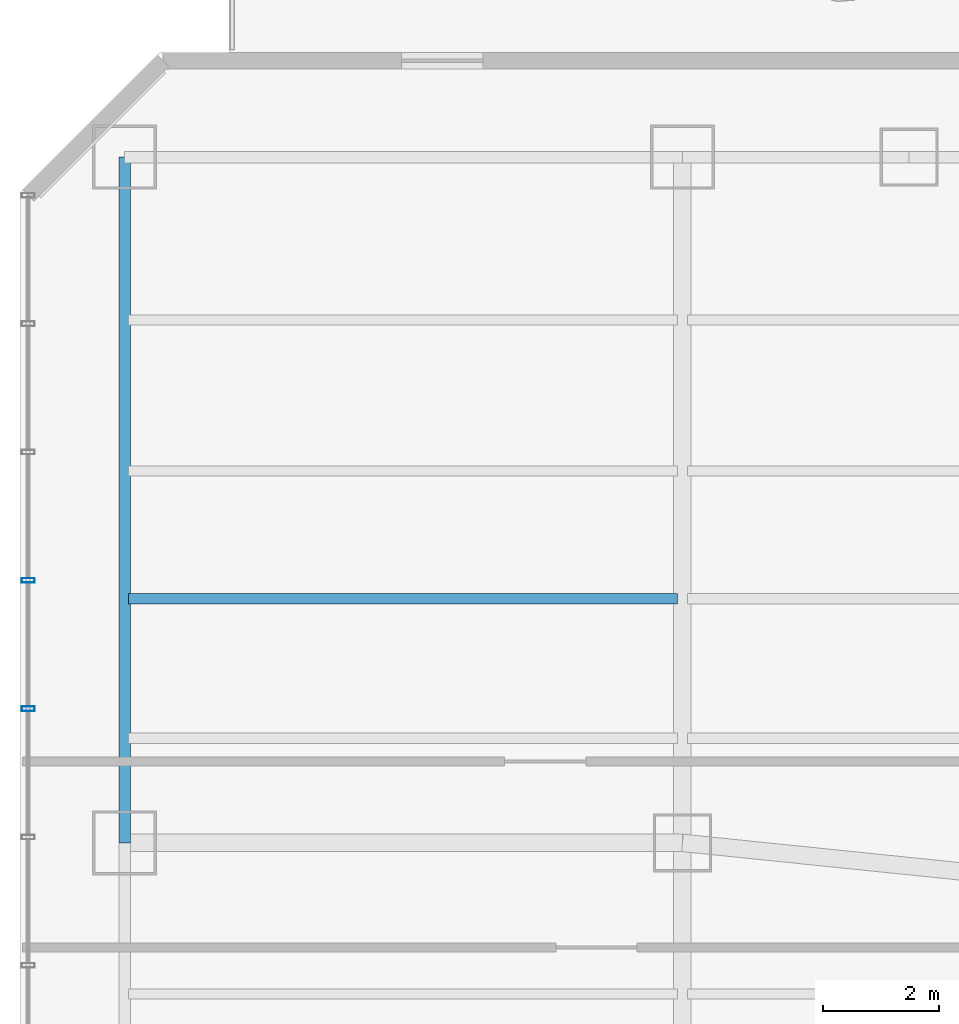
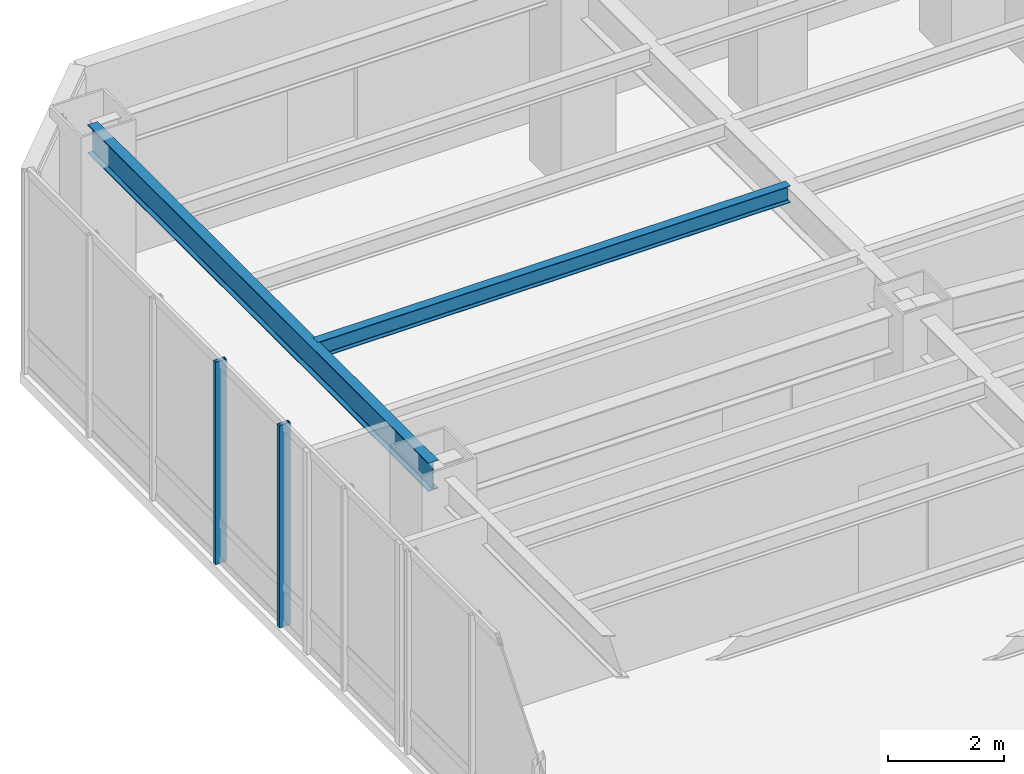
# One storey, part 12 of 29: 2 beams, 2 members, 1 element without a shape of its own.
"""IFC4 building model written with IfcOpenShell, lengths in metres."""

from ifc_helpers import new_model, si_unit, direction, frame, origin, origin_2d, place, context, subcontext, project, spatial, hollow_rectangle, i_section, extrude, material, layer, layer_set, material_profile, profile_set, type_object, element, aggregate, save


model = new_model("IFC4")

# Units and contexts
model_context = context("Model", 3, precision=1e-05, world=origin(), true_north=direction((0.0, 1.0)))
body_context = subcontext(model_context, "Body", "Model", "MODEL_VIEW")
ifc_project = project(units=[si_unit("LENGTHUNIT", "METRE"), si_unit("AREAUNIT", "SQUARE_METRE"), si_unit("VOLUMEUNIT", "CUBIC_METRE"), si_unit("PLANEANGLEUNIT", "RADIAN"), si_unit("MASSUNIT", "GRAM", prefix="KILO")], contexts=[model_context])

# Site, building, storey
site_placement = place(None, origin())
site = spatial("IfcSite", under=ifc_project, at=site_placement, CompositionType="ELEMENT")
building_placement = place(site_placement, origin())
building = spatial("IfcBuilding", under=site, at=building_placement, Name="Hatsunagi Terrace Concourse", CompositionType="ELEMENT")
storey_placement = place(building_placement, frame((0.0, 0.0, 32.10009765625)))
storey = spatial("IfcBuildingStorey", under=building, at=storey_placement, Name="L07", CompositionType="ELEMENT", Elevation=32.10009765625)

# Curtain wall, members
ifc_material_1 = material(Name="Anodised Aluminium Alloy 6063-T5", Category="aluminium")
ifc_layer = layer(ifc_material_1, 0.199951171875)
ifc_layer_set = layer_set([ifc_layer], Name="SkyLobbyAtrium_CW05")
curtain_wall_type = type_object("IfcCurtainWallType", Name="SkyLobbyAtrium_CW05", PredefinedType="NOTDEFINED", material=ifc_layer_set)
curtain_wall_placement = place(storey_placement, origin())
curtain_wall = element("IfcCurtainWall", 1, at=curtain_wall_placement, inside=storey, type_object=curtain_wall_type, Name="Unitised Curtain Wall CW-05 CW-L07-09", PredefinedType="NOTDEFINED")
ifc_material_2 = material(Name="Anodised Aluminium Alloy 6063-T5", Category="aluminium")
ifc_material_profile_1 = material_profile(ifc_material_2, hollow_rectangle(XDim=0.080078125, YDim=0.219970703125, WallThickness=0.0048828125, at=origin_2d()), Name="ALU-MUL-220x80x5")
ifc_profile_set_1 = profile_set([ifc_material_profile_1], Name="Anodised Aluminium Alloy 6063-T5")
member_type = type_object("IfcMemberType", Name="CurtainWallMullion_Heavy_220x80", PredefinedType="MULLION", material=ifc_profile_set_1)
member_1_placement = place(storey_placement, frame((0.139892578125, 39.10791015625, 0.0), z_axis=(0.0, 0.0, 1.0), x_axis=(0.0, 1.0, 0.0)))
member_1 = element("IfcMember", 2, at=member_1_placement, type_object=member_type, Name="Curtain Wall Mullion MUL-01", PredefinedType="MULLION", context=body_context, shape_type="SweptSolid", body=[
    extrude(hollow_rectangle(XDim=0.080078125, YDim=0.219970703125, WallThickness=0.0048828125, at=origin_2d()), origin(), (0.0, 0.0, 1.0), 4.27978515625),
])
member_2_placement = place(storey_placement, frame((0.139892578125, 41.31689453125, 0.0), z_axis=(0.0, 0.0, 1.0), x_axis=(0.0, 1.0, 0.0)))
member_2 = element("IfcMember", 3, at=member_2_placement, type_object=member_type, Name="Curtain Wall Mullion MUL-01", PredefinedType="MULLION", context=body_context, shape_type="SweptSolid", body=[
    extrude(hollow_rectangle(XDim=0.080078125, YDim=0.219970703125, WallThickness=0.0048828125, at=origin_2d()), origin(), (0.0, 0.0, 1.0), 4.27978515625),
])
aggregate(curtain_wall, [member_1, member_2])

# Beams
ifc_material_3 = material(Name="Steel SN490B", Category="steel")
ifc_material_profile_2 = material_profile(ifc_material_3, i_section(OverallWidth=0.175048828125, OverallDepth=0.35009765625, WebThickness=0.007080078125, FlangeThickness=0.010986328125, FilletRadius=0.012939453125, at=origin_2d()), Name="H-350x175x7x11")
ifc_profile_set_2 = profile_set([ifc_material_profile_2], Name="Steel SN490B")
beam_type_1 = type_object("IfcBeamType", Name="HotelJoist_H_350x175", PredefinedType="JOIST", material=ifc_profile_set_2)
beam_1_placement = place(storey_placement, frame((1.864990234375, 41.0, 4.10498046875), z_axis=(1.0, 0.0, 0.0), x_axis=(0.0, 1.0, 0.0)))
element("IfcBeam", 4, at=beam_1_placement, inside=storey, type_object=beam_type_1, Name="Beam J-02 J-L07-W-1-410", PredefinedType="JOIST", context=body_context, shape_type="SweptSolid", body=[
    extrude(i_section(OverallWidth=0.175048828125, OverallDepth=0.35009765625, WebThickness=0.007080078125, FlangeThickness=0.010986328125, FilletRadius=0.012939453125, at=origin_2d()), origin(), (0.0, 0.0, 1.0), 9.449951171875),
])
ifc_material_4 = material(Name="Steel SN490B", Category="steel")
ifc_material_profile_3 = material_profile(ifc_material_4, i_section(OverallWidth=0.199951171875, OverallDepth=0.60009765625, WebThickness=0.010986328125, FlangeThickness=0.01708984375, FilletRadius=0.01806640625, at=origin_2d()), Name="H-600x200x11x17")
ifc_profile_set_3 = profile_set([ifc_material_profile_3], Name="Steel SN490B")
beam_type_2 = type_object("IfcBeamType", Name="PerimeterSpandrel_H_600x200", PredefinedType="SPANDREL", material=ifc_profile_set_3)
beam_2_placement = place(storey_placement, frame((1.800048828125, 36.800048828125, 3.97998046875), z_axis=(0.0, 1.0, 0.0), x_axis=(-1.0, 0.0, 0.0)))
element("IfcBeam", 5, at=beam_2_placement, inside=storey, type_object=beam_type_2, Name="Beam SP-01 BM-L07-NS-1-36", PredefinedType="SPANDREL", context=body_context, shape_type="SweptSolid", body=[
    extrude(i_section(OverallWidth=0.199951171875, OverallDepth=0.60009765625, WebThickness=0.010986328125, FlangeThickness=0.01708984375, FilletRadius=0.01806640625, at=origin_2d()), origin(), (0.0, 0.0, 1.0), 11.800048828125),
])

save(model, "model.ifc")
